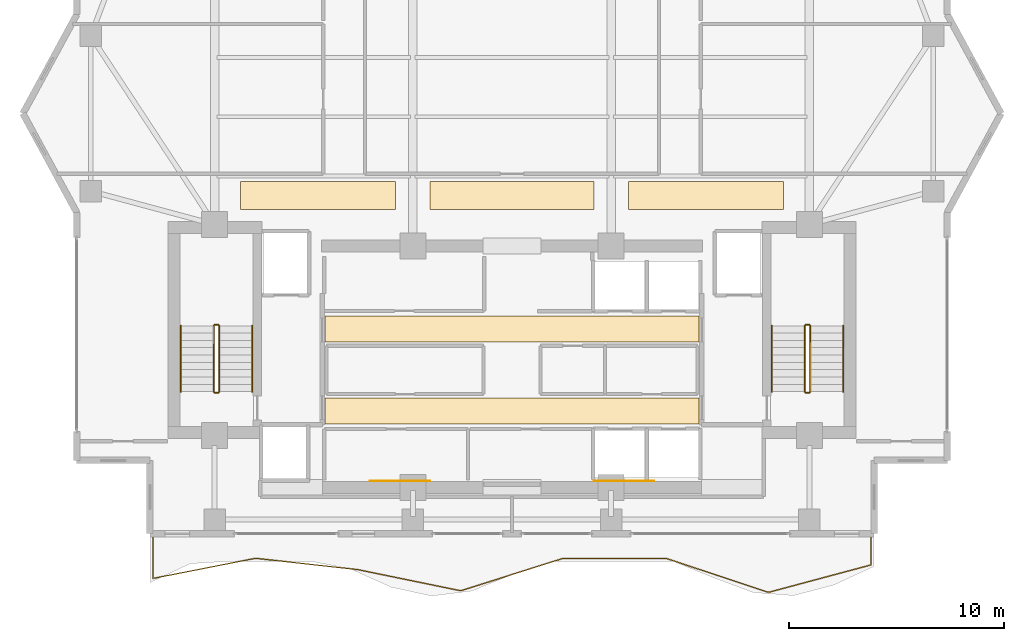
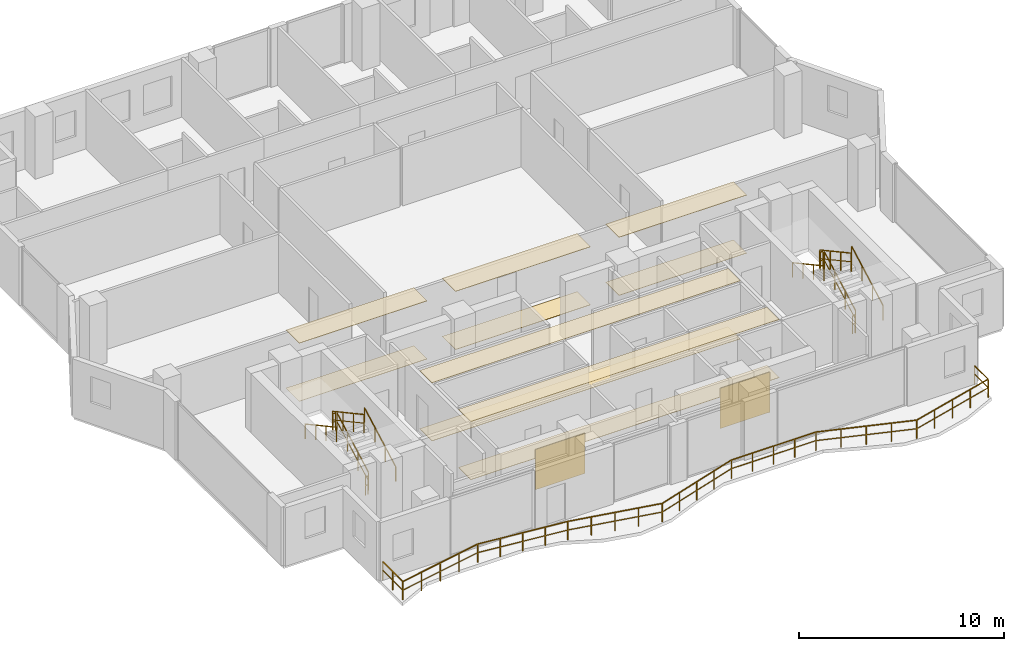
# One storey, part 22 of 24: 13 railings, 12 coverings.
"""IFC4 building model written with IfcOpenShell, lengths in metres."""

import ifcopenshell
import ifcopenshell.guid

model = None  # the IFC model being written
_history = None  # IfcOwnerHistory: only IFC2X3 demands one
_inside = {}  # id of a spatial element -> (the spatial element, [elements in it])
_under = {}  # id of a project, library or spatial element -> (it, [spatial elements below it])
_declared = {}  # id of a project -> (the project, [libraries it declares])
_typed = {}  # id of a type object -> (the type object, [elements of that type])
_made_of = {}  # id of a material, layer set ... -> (it, [elements and type objects made of it])


def new_model(schema):
    """Start an empty IFC model of exactly this schema.

    Asked for "IFC4X3", IfcOpenShell would pick the latest addendum, in which some entities
    have other attributes; the version numbers below select the first issue.
    IFC2X3 requires an IfcOwnerHistory on every rooted entity: one is made here for all.
    """
    global model, _history
    if schema == "IFC4X3":
        model = ifcopenshell.file(schema_version=(4, 3, 0, 0))
    else:
        model = ifcopenshell.file(schema=schema)
    _inside.clear()
    _under.clear()
    _declared.clear()
    _typed.clear()
    _made_of.clear()
    _history = None
    if model.schema == "IFC2X3":
        org = make("IfcOrganization", Name="unknown")
        user = make(
            "IfcPersonAndOrganization",
            ThePerson=make("IfcPerson", FamilyName="unknown"),
            TheOrganization=org,
        )
        app = make(
            "IfcApplication",
            ApplicationDeveloper=org,
            Version="unknown",
            ApplicationFullName="unknown",
            ApplicationIdentifier="unknown",
        )
        _history = make(
            "IfcOwnerHistory",
            OwningUser=user,
            OwningApplication=app,
            ChangeAction="ADDED",
            CreationDate=0,
        )
    return model


def make(cls, **values):
    """One entity of the class cls with the attributes given. An attribute that is None is left unset."""
    return model.create_entity(
        cls, **{name: value for name, value in values.items() if value is not None}
    )


def rooted(cls, **values):
    """An entity with a GlobalId (a new one), such as an element, a storey or a relation."""
    return make(cls, GlobalId=ifcopenshell.guid.new(), OwnerHistory=_history, **values)


def si_unit(unit_type, name, prefix=None):
    """IfcSIUnit, for example si_unit("LENGTHUNIT", "METRE", prefix="MILLI")."""
    return make("IfcSIUnit", UnitType=unit_type, Prefix=prefix, Name=name)


def assignment(units):
    """IfcUnitAssignment: the units of a project."""
    return None if units is None else make("IfcUnitAssignment", Units=units)


def point(xyz):
    """IfcCartesianPoint."""
    return None if xyz is None else make("IfcCartesianPoint", Coordinates=xyz)


def direction(xyz):
    """IfcDirection."""
    return None if xyz is None else make("IfcDirection", DirectionRatios=xyz)


def frame(location, z_axis=None, x_axis=None):
    """IfcAxis2Placement3D, a coordinate frame: its origin and axes. An axis left out is left unset."""
    return make(
        "IfcAxis2Placement3D",
        Location=point(location),
        Axis=direction(z_axis),
        RefDirection=direction(x_axis),
    )


def frame_2d(location, x_axis=None):
    """IfcAxis2Placement2D, a coordinate frame in the plane: its origin and x axis."""
    return make(
        "IfcAxis2Placement2D", Location=point(location), RefDirection=direction(x_axis)
    )


def origin():
    """The frame at (0, 0, 0) with its axes left unset."""
    return frame((0.0, 0.0, 0.0))


def origin_2d():
    """The frame at (0, 0) in the plane with its x axis left unset."""
    return frame_2d((0.0, 0.0))


def place(relative_to, where):
    """IfcLocalPlacement: puts the frame where relative to a parent placement (None: the world)."""
    return make(
        "IfcLocalPlacement", PlacementRelTo=relative_to, RelativePlacement=where
    )


def context(
    kind, dimensions, precision=None, world=None, true_north=None, identifier=None
):
    """IfcGeometricRepresentationContext, for example the 3D "Model" context."""
    return make(
        "IfcGeometricRepresentationContext",
        ContextIdentifier=identifier,
        ContextType=kind,
        CoordinateSpaceDimension=dimensions,
        Precision=precision,
        WorldCoordinateSystem=world,
        TrueNorth=true_north,
    )


def subcontext(parent, identifier, kind, view, scale=None):
    """IfcGeometricRepresentationSubContext, for example "Body" below "Model"."""
    return make(
        "IfcGeometricRepresentationSubContext",
        ContextIdentifier=identifier,
        ContextType=kind,
        ParentContext=parent,
        TargetScale=scale,
        TargetView=view,
    )


def project(units=None, contexts=None):
    """IfcProject with its units and contexts."""
    return rooted(
        "IfcProject",
        Name="project",
        RepresentationContexts=contexts,
        UnitsInContext=assignment(units),
    )


def spatial(cls, under=None, at=None, **own):
    """A site, building, storey or space (cls), placed at a placement, below another one or the project."""
    s = rooted(cls, ObjectPlacement=at, **own)
    if under is not None:
        _under.setdefault(under.id(), (under, []))[1].append(s)
    return s


def polyline(points):
    """IfcPolyline through the points."""
    return make("IfcPolyline", Points=[point(p) for p in points])


def profile(cls, at=None, kind="AREA", **sizes):
    """A parametric profile (cls). Its sizes go by their IFC names, for example OverallWidth=200.0."""
    return make(cls, ProfileType=kind, Position=at, **sizes)


def rectangle(**sizes):
    """IfcRectangleProfileDef."""
    return profile("IfcRectangleProfileDef", **sizes)


def outline(outer, holes=None, kind="AREA"):
    """IfcArbitraryClosedProfileDef: a profile drawn as a closed curve; with holes, ...WithVoids."""
    if holes is None:
        return make("IfcArbitraryClosedProfileDef", ProfileType=kind, OuterCurve=outer)
    return make(
        "IfcArbitraryProfileDefWithVoids",
        ProfileType=kind,
        OuterCurve=outer,
        InnerCurves=holes,
    )


def extrude(swept, where, along, depth):
    """IfcExtrudedAreaSolid: the profile swept, set in the frame where, extruded along a direction by depth."""
    return make(
        "IfcExtrudedAreaSolid",
        SweptArea=swept,
        Position=where,
        ExtrudedDirection=direction(along),
        Depth=depth,
    )


def shape(context_of_items, identifier, shape_type, items):
    """IfcShapeRepresentation: the items that make up one representation, for example the "Body"."""
    return make(
        "IfcShapeRepresentation",
        ContextOfItems=context_of_items,
        RepresentationIdentifier=identifier,
        RepresentationType=shape_type,
        Items=items,
    )


def material(Name=None, Category=None):
    """IfcMaterial."""
    return make("IfcMaterial", Name=Name, Category=Category)


def layer(
    of_material, thickness, ventilated=None, Name=None, Category=None, Priority=None
):
    """IfcMaterialLayer: one layer of a wall or slab, of a material (None: an air gap)."""
    return make(
        "IfcMaterialLayer",
        Material=of_material,
        LayerThickness=thickness,
        IsVentilated=ventilated,
        Name=Name,
        Category=Category,
        Priority=Priority,
    )


def layer_set(layers, Name=None):
    """IfcMaterialLayerSet."""
    return make("IfcMaterialLayerSet", MaterialLayers=layers, LayerSetName=Name)


def made_of(thing, what):
    """Note that an element or type object is made of a material, layer set ...; save() writes the relation."""
    if what is not None:
        _made_of.setdefault(what.id(), (what, []))[1].append(thing)
    return thing


def type_object(cls, material=None, **own):
    """A type object (cls), such as IfcWallType, which elements share."""
    return made_of(rooted(cls, **own), material)


def element(
    cls,
    number,
    at=None,
    inside=None,
    cuts=None,
    type_object=None,
    material=None,
    context=None,
    identifier="Body",
    shape_type=None,
    held_by="IfcProductDefinitionShape",
    body=None,
    shapes=None,
    **own,
):
    """One element of the class cls, such as IfcWall. Its Tag is "e" and its number.

    at: its placement. inside: the storey or other place that contains it. cuts: it is an
    opening in that element (IfcRelVoidsElement). A single representation is given by context,
    identifier, shape_type and body (its items); several are given by shapes. held_by: the class
    of the entity that holds the representations. save() writes the other relations.
    """
    e = rooted(cls, Tag="e%d" % number, ObjectPlacement=at, **own)
    if body is not None:
        shapes = [shape(context, identifier, shape_type, body)]
    if shapes is not None:
        e.Representation = make(held_by, Representations=shapes)
    if inside is not None:
        _inside.setdefault(inside.id(), (inside, []))[1].append(e)
    if cuts is not None:
        rooted(
            "IfcRelVoidsElement", RelatingBuildingElement=cuts, RelatedOpeningElement=e
        )
    if type_object is not None:
        _typed.setdefault(type_object.id(), (type_object, []))[1].append(e)
    return made_of(e, material)


def aggregate(whole, parts):
    """IfcRelAggregates: a whole, such as a stair, and the parts it consists of."""
    return rooted("IfcRelAggregates", RelatingObject=whole, RelatedObjects=parts)


def save(model, path):
    """Write the relations noted so far, then the file.

    IfcRelAggregates (storeys below a building ...), IfcRelContainedInSpatialStructure (elements
    in a storey), IfcRelDefinesByType, IfcRelAssociatesMaterial and IfcRelDeclares: one each for
    every whole, place, type object, material and project.
    """
    for whole, parts in _under.values():
        aggregate(whole, parts)
    for where, things in _inside.values():
        rooted(
            "IfcRelContainedInSpatialStructure",
            RelatedElements=things,
            RelatingStructure=where,
        )
    for kind, things in _typed.values():
        rooted("IfcRelDefinesByType", RelatedObjects=things, RelatingType=kind)
    for what, things in _made_of.values():
        rooted("IfcRelAssociatesMaterial", RelatedObjects=things, RelatingMaterial=what)
    for by, libraries in _declared.values():
        rooted("IfcRelDeclares", RelatingContext=by, RelatedDefinitions=libraries)
    model.write(path)


model = new_model("IFC4")

# Units and contexts
model_context = context("Model", 3, precision=1e-05, world=origin(), true_north=direction((0.0, 1.0)))
body_context = subcontext(model_context, "Body", "Model", "MODEL_VIEW")
ifc_project = project(units=[si_unit("LENGTHUNIT", "METRE"), si_unit("AREAUNIT", "SQUARE_METRE"), si_unit("VOLUMEUNIT", "CUBIC_METRE"), si_unit("PLANEANGLEUNIT", "RADIAN"), si_unit("MASSUNIT", "GRAM", prefix="KILO")], contexts=[model_context])

# Site, building, storey
site_placement = place(None, origin())
site = spatial("IfcSite", under=ifc_project, at=site_placement, CompositionType="ELEMENT")
building_placement = place(site_placement, origin())
building = spatial("IfcBuilding", under=site, at=building_placement, Name="Zuhayl Quay Hotel", CompositionType="ELEMENT")
storey_placement = place(building_placement, frame((0.0, 0.0, 276.64990234375)))
storey = spatial("IfcBuildingStorey", under=building, at=storey_placement, Name="L70", CompositionType="ELEMENT", Elevation=276.64990234375)

# Coverings
ifc_material_1 = material(Name="Acoustic Mineral-Fibre Gypsum Board")
ifc_layer_1 = layer(ifc_material_1, 0.02490234375, Name="Acoustic Mineral-Fibre Gypsum Board")
ifc_layer_set_1 = layer_set([ifc_layer_1], Name="Acoustic Mineral-Fibre Gypsum Board")
covering_type_1 = type_object("IfcCoveringType", Name="CV_CEIL_ACOUSTIC", PredefinedType="CEILING", material=ifc_layer_set_1)
covering_1_placement = place(storey_placement, frame((0.0, 0.0, 3.455078125)))
element("IfcCovering", 1, at=covering_1_placement, inside=storey, type_object=covering_type_1, Name="L70 Suspended Acoustic Lobby Ceiling S", PredefinedType="CEILING", context=body_context, shape_type="SweptSolid", body=[
    extrude(outline(polyline([(-8.679931640625, 5.10009765625), (8.679931640625, 5.10009765625), (8.679931640625, 6.300048828125), (-8.679931640625, 6.300048828125), (-8.679931640625, 5.10009765625)])), origin(), (0.0, 0.0, 1.0), 0.02490234375),
])
covering_2_placement = place(storey_placement, frame((0.0, 0.0, 3.455078125)))
element("IfcCovering", 2, at=covering_2_placement, inside=storey, type_object=covering_type_1, Name="L70 Suspended Acoustic Lobby Ceiling N", PredefinedType="CEILING", context=body_context, shape_type="SweptSolid", body=[
    extrude(outline(polyline([(-8.679931640625, 8.89990234375), (8.679931640625, 8.89990234375), (8.679931640625, 10.10009765625), (-8.679931640625, 10.10009765625), (-8.679931640625, 8.89990234375)])), origin(), (0.0, 0.0, 1.0), 0.02490234375),
])
covering_3_placement = place(storey_placement, frame((0.0, 0.0, 3.455078125)))
element("IfcCovering", 3, at=covering_3_placement, inside=storey, type_object=covering_type_1, Name="L70 Guest Corridor Acoustic Ceiling CW", PredefinedType="CEILING", context=body_context, shape_type="SweptSolid", body=[
    extrude(outline(polyline([(-12.60009765625, 15.050048828125), (-5.39990234375, 15.050048828125), (-5.39990234375, 16.35009765625), (-12.60009765625, 16.35009765625), (-12.60009765625, 15.050048828125)])), origin(), (0.0, 0.0, 1.0), 0.02490234375),
])
covering_4_placement = place(storey_placement, frame((0.0, 0.0, 3.455078125)))
element("IfcCovering", 4, at=covering_4_placement, inside=storey, type_object=covering_type_1, Name="L70 Guest Corridor Acoustic Ceiling CC", PredefinedType="CEILING", context=body_context, shape_type="SweptSolid", body=[
    extrude(outline(polyline([(-3.800048828125, 15.050048828125), (3.800048828125, 15.050048828125), (3.800048828125, 16.35009765625), (-3.800048828125, 16.35009765625), (-3.800048828125, 15.050048828125)])), origin(), (0.0, 0.0, 1.0), 0.02490234375),
])
covering_5_placement = place(storey_placement, frame((0.0, 0.0, 3.455078125)))
element("IfcCovering", 5, at=covering_5_placement, inside=storey, type_object=covering_type_1, Name="L70 Guest Corridor Acoustic Ceiling CE", PredefinedType="CEILING", context=body_context, shape_type="SweptSolid", body=[
    extrude(outline(polyline([(5.39990234375, 15.050048828125), (12.60009765625, 15.050048828125), (12.60009765625, 16.35009765625), (5.39990234375, 16.35009765625), (5.39990234375, 15.050048828125)])), origin(), (0.0, 0.0, 1.0), 0.02490234375),
])
ifc_material_2 = material(Name="Polished Limestone Terrazzo", Category="masonry")
ifc_layer_2 = layer(ifc_material_2, 0.02001953125, Name="Polished Limestone Terrazzo", Category="masonry")
ifc_layer_set_2 = layer_set([ifc_layer_2], Name="Polished Limestone Terrazzo")
covering_type_2 = type_object("IfcCoveringType", Name="CV_FLOOR_TERRAZZO", PredefinedType="FLOORING", material=ifc_layer_set_2)
covering_6_placement = place(storey_placement, origin())
element("IfcCovering", 6, at=covering_6_placement, inside=storey, type_object=covering_type_2, Name="L70 Honed Limestone Terrazzo Lobby Flooring S", PredefinedType="FLOORING", context=body_context, shape_type="SweptSolid", body=[
    extrude(outline(polyline([(-8.679931640625, 5.10009765625), (8.679931640625, 5.10009765625), (8.679931640625, 6.300048828125), (-8.679931640625, 6.300048828125), (-8.679931640625, 5.10009765625)])), origin(), (0.0, 0.0, 1.0), 0.02001953125),
])
covering_7_placement = place(storey_placement, origin())
element("IfcCovering", 7, at=covering_7_placement, inside=storey, type_object=covering_type_2, Name="L70 Honed Limestone Terrazzo Lobby Flooring N", PredefinedType="FLOORING", context=body_context, shape_type="SweptSolid", body=[
    extrude(outline(polyline([(-8.679931640625, 8.89990234375), (8.679931640625, 8.89990234375), (8.679931640625, 10.10009765625), (-8.679931640625, 10.10009765625), (-8.679931640625, 8.89990234375)])), origin(), (0.0, 0.0, 1.0), 0.02001953125),
])
covering_8_placement = place(storey_placement, origin())
element("IfcCovering", 8, at=covering_8_placement, inside=storey, type_object=covering_type_2, Name="L70 Guest Corridor Terrazzo Runner CW", PredefinedType="FLOORING", context=body_context, shape_type="SweptSolid", body=[
    extrude(outline(polyline([(-12.60009765625, 15.050048828125), (-5.39990234375, 15.050048828125), (-5.39990234375, 16.35009765625), (-12.60009765625, 16.35009765625), (-12.60009765625, 15.050048828125)])), origin(), (0.0, 0.0, 1.0), 0.02001953125),
])
covering_9_placement = place(storey_placement, origin())
element("IfcCovering", 9, at=covering_9_placement, inside=storey, type_object=covering_type_2, Name="L70 Guest Corridor Terrazzo Runner CC", PredefinedType="FLOORING", context=body_context, shape_type="SweptSolid", body=[
    extrude(outline(polyline([(-3.800048828125, 15.050048828125), (3.800048828125, 15.050048828125), (3.800048828125, 16.35009765625), (-3.800048828125, 16.35009765625), (-3.800048828125, 15.050048828125)])), origin(), (0.0, 0.0, 1.0), 0.02001953125),
])
covering_10_placement = place(storey_placement, origin())
element("IfcCovering", 10, at=covering_10_placement, inside=storey, type_object=covering_type_2, Name="L70 Guest Corridor Terrazzo Runner CE", PredefinedType="FLOORING", context=body_context, shape_type="SweptSolid", body=[
    extrude(outline(polyline([(5.39990234375, 15.050048828125), (12.60009765625, 15.050048828125), (12.60009765625, 16.35009765625), (5.39990234375, 16.35009765625), (5.39990234375, 15.050048828125)])), origin(), (0.0, 0.0, 1.0), 0.02001953125),
])
ifc_material_3 = material(Name="Acoustic Walnut Feature Timber", Category="wood")
ifc_layer_3 = layer(ifc_material_3, 0.02197265625, Name="Acoustic Walnut Feature Timber", Category="wood")
ifc_layer_set_3 = layer_set([ifc_layer_3], Name="Acoustic Walnut Feature Timber")
covering_type_3 = type_object("IfcCoveringType", Name="CV_WALL_CLAD", PredefinedType="CLADDING", material=ifc_layer_set_3)
for number, where, z_axis, x_axis, name in (
    (11, (-5.199951171875, 2.43603515625, 0.300048828125), (0.0, 0.0, 1.0), (1.0, 0.0, 0.0), "L70 Feature Lobby Walnut Wall Cladding W"),
    (12, (5.199951171875, 2.43603515625, 0.300048828125), (0.0, 0.0, 1.0), (1.0, 0.0, 0.0), "L70 Feature Lobby Walnut Wall Cladding E"),
):
    element("IfcCovering", number, at=place(storey_placement, frame(where, z_axis=z_axis, x_axis=x_axis)), inside=storey, type_object=covering_type_3, Name=name, PredefinedType="CLADDING", context=body_context, shape_type="SweptSolid", body=[
        extrude(rectangle(XDim=2.800048828125, YDim=0.02197265625, at=origin_2d()), origin(), (0.0, 0.0, 1.0), 2.39990234375),
    ])

# Railings
ifc_material_4 = material(Name="Anodised Aluminium and Laminated Glass", Category="aluminium")
railing_type_1 = type_object("IfcRailingType", Name="RL_EXT_BAL_1100", PredefinedType="BALUSTRADE", material=ifc_material_4)
railing_1_placement = place(storey_placement, frame((-16.659912109375, -0.1201171875, 0.0)))
element("IfcRailing", 13, at=railing_1_placement, inside=storey, type_object=railing_type_1, Name="L70 Balcony and Terrace Guard GR_L70_BAL_S", PredefinedType="BALUSTRADE", context=body_context, shape_type="SweptSolid", body=[
    extrude(rectangle(XDim=0.048095703125, YDim=0.048095703125, at=origin_2d()), frame((0.0, 0.0, 1.09619140625), z_axis=(0.0, -1.0, 0.0), x_axis=(1.0, 0.0, 0.0)), (0.0, 0.0, 1.0), 1.95458984375),
    extrude(rectangle(XDim=0.0361328125, YDim=0.0361328125, at=origin_2d()), frame((0.0, 0.0, 0.58251953125), z_axis=(0.0, -1.0, 0.0), x_axis=(1.0, 0.0, 0.0)), (0.0, 0.0, 1.0), 1.95458984375),
    extrude(rectangle(XDim=0.048095703125, YDim=0.048095703125, at=origin_2d()), frame((0.0, -1.95458984375, 1.09619140625), z_axis=(0.981256128816, 0.192708094437, 0.0), x_axis=(-0.192708094437, 0.981256128816, 0.0)), (0.0, 0.0, 1.0), 4.850830078125),
    extrude(rectangle(XDim=0.0361328125, YDim=0.0361328125, at=origin_2d()), frame((0.0, -1.95458984375, 0.58251953125), z_axis=(0.981256128816, 0.192708094437, 0.0), x_axis=(-0.192708094437, 0.981256128816, 0.0)), (0.0, 0.0, 1.0), 4.850830078125),
    extrude(rectangle(XDim=0.048095703125, YDim=0.048095703125, at=origin_2d()), frame((4.760009765625, -1.019775390625, 1.09619140625), z_axis=(0.993857597801, -0.110666504838, 0.0), x_axis=(0.110666504838, 0.993857597801, 0.0)), (0.0, 0.0, 1.0), 4.789306640625),
    extrude(rectangle(XDim=0.0361328125, YDim=0.0361328125, at=origin_2d()), frame((4.760009765625, -1.019775390625, 0.58251953125), z_axis=(0.993857597801, -0.110666504838, 0.0), x_axis=(0.110666504838, 0.993857597801, 0.0)), (0.0, 0.0, 1.0), 4.789306640625),
    extrude(rectangle(XDim=0.048095703125, YDim=0.048095703125, at=origin_2d()), frame((9.52001953125, -1.5498046875, 1.09619140625), z_axis=(0.979537225251, -0.201263072491, 0.0), x_axis=(0.201263072491, 0.979537225251, 0.0)), (0.0, 0.0, 1.0), 4.859375),
    extrude(rectangle(XDim=0.0361328125, YDim=0.0361328125, at=origin_2d()), frame((9.52001953125, -1.5498046875, 0.58251953125), z_axis=(0.979537225251, -0.201263072491, 0.0), x_axis=(0.201263072491, 0.979537225251, 0.0)), (0.0, 0.0, 1.0), 4.859375),
    extrude(rectangle(XDim=0.048095703125, YDim=0.048095703125, at=origin_2d()), frame((14.280029296875, -2.52783203125, 1.09619140625), z_axis=(0.953296242954, 0.302036873858, 0.0), x_axis=(-0.302036873858, 0.953296242954, 0.0)), (0.0, 0.0, 1.0), 4.992919921875),
    extrude(rectangle(XDim=0.0361328125, YDim=0.0361328125, at=origin_2d()), frame((14.280029296875, -2.52783203125, 0.58251953125), z_axis=(0.953296242954, 0.302036873858, 0.0), x_axis=(-0.302036873858, 0.953296242954, 0.0)), (0.0, 0.0, 1.0), 4.992919921875),
    extrude(rectangle(XDim=0.048095703125, YDim=0.048095703125, at=origin_2d()), frame((19.039794921875, -1.019775390625, 1.09619140625), z_axis=(1.0, 0.0, 0.0), x_axis=(0.0, 1.0, 0.0)), (0.0, 0.0, 1.0), 4.760009765625),
    extrude(rectangle(XDim=0.0361328125, YDim=0.0361328125, at=origin_2d()), frame((19.039794921875, -1.019775390625, 0.58251953125), z_axis=(1.0, 0.0, 0.0), x_axis=(0.0, 1.0, 0.0)), (0.0, 0.0, 1.0), 4.760009765625),
    extrude(rectangle(XDim=0.048095703125, YDim=0.048095703125, at=origin_2d()), frame((23.7998046875, -1.019775390625, 1.09619140625), z_axis=(0.948989495807, -0.315307685995, 0.0), x_axis=(0.315307685995, 0.948989495807, 0.0)), (0.0, 0.0, 1.0), 5.015869140625),
    extrude(rectangle(XDim=0.0361328125, YDim=0.0361328125, at=origin_2d()), frame((23.7998046875, -1.019775390625, 0.58251953125), z_axis=(0.948989495807, -0.315307685995, 0.0), x_axis=(0.315307685995, 0.948989495807, 0.0)), (0.0, 0.0, 1.0), 5.015869140625),
    extrude(rectangle(XDim=0.048095703125, YDim=0.048095703125, at=origin_2d()), frame((28.559814453125, -2.601318359375, 1.09619140625), z_axis=(0.966015020144, 0.25848593938, 0.0), x_axis=(-0.25848593938, 0.966015020144, 0.0)), (0.0, 0.0, 1.0), 4.927490234375),
    extrude(rectangle(XDim=0.0361328125, YDim=0.0361328125, at=origin_2d()), frame((28.559814453125, -2.601318359375, 0.58251953125), z_axis=(0.966015020144, 0.25848593938, 0.0), x_axis=(-0.25848593938, 0.966015020144, 0.0)), (0.0, 0.0, 1.0), 4.927490234375),
    extrude(rectangle(XDim=0.048095703125, YDim=0.048095703125, at=origin_2d()), frame((33.31982421875, -1.32763671875, 1.09619140625), z_axis=(0.0, 1.0, 0.0), x_axis=(-1.0, 0.0, 0.0)), (0.0, 0.0, 1.0), 1.32763671875),
    extrude(rectangle(XDim=0.0361328125, YDim=0.0361328125, at=origin_2d()), frame((33.31982421875, -1.32763671875, 0.58251953125), z_axis=(0.0, 1.0, 0.0), x_axis=(-1.0, 0.0, 0.0)), (0.0, 0.0, 1.0), 1.32763671875),
    extrude(rectangle(XDim=0.0419921875, YDim=0.0419921875, at=origin_2d()), origin(), (0.0, 0.0, 1.0), 1.072021484375),
    extrude(rectangle(XDim=0.0419921875, YDim=0.0419921875, at=origin_2d()), frame((0.0, -0.977294921875, 0.0)), (0.0, 0.0, 1.0), 1.072021484375),
    extrude(rectangle(XDim=0.0419921875, YDim=0.0419921875, at=origin_2d()), frame((0.0, -1.95458984375, 0.0)), (0.0, 0.0, 1.0), 1.072021484375),
    extrude(rectangle(XDim=0.0419921875, YDim=0.0419921875, at=origin_2d()), frame((1.18994140625, -1.720947265625, 0.0)), (0.0, 0.0, 1.0), 1.072021484375),
    extrude(rectangle(XDim=0.0419921875, YDim=0.0419921875, at=origin_2d()), frame((2.3798828125, -1.4873046875, 0.0)), (0.0, 0.0, 1.0), 1.072021484375),
    extrude(rectangle(XDim=0.0419921875, YDim=0.0419921875, at=origin_2d()), frame((3.570068359375, -1.25341796875, 0.0)), (0.0, 0.0, 1.0), 1.072021484375),
    extrude(rectangle(XDim=0.0419921875, YDim=0.0419921875, at=origin_2d()), frame((4.760009765625, -1.019775390625, 0.0)), (0.0, 0.0, 1.0), 1.072021484375),
    extrude(rectangle(XDim=0.0419921875, YDim=0.0419921875, at=origin_2d()), frame((5.949951171875, -1.15234375, 0.0)), (0.0, 0.0, 1.0), 1.072021484375),
    extrude(rectangle(XDim=0.0419921875, YDim=0.0419921875, at=origin_2d()), frame((7.14013671875, -1.28466796875, 0.0)), (0.0, 0.0, 1.0), 1.072021484375),
    extrude(rectangle(XDim=0.0419921875, YDim=0.0419921875, at=origin_2d()), frame((8.330078125, -1.417236328125, 0.0)), (0.0, 0.0, 1.0), 1.072021484375),
    extrude(rectangle(XDim=0.0419921875, YDim=0.0419921875, at=origin_2d()), frame((9.52001953125, -1.5498046875, 0.0)), (0.0, 0.0, 1.0), 1.072021484375),
    extrude(rectangle(XDim=0.0419921875, YDim=0.0419921875, at=origin_2d()), frame((10.7099609375, -1.79443359375, 0.0)), (0.0, 0.0, 1.0), 1.072021484375),
    extrude(rectangle(XDim=0.0419921875, YDim=0.0419921875, at=origin_2d()), frame((11.89990234375, -2.038818359375, 0.0)), (0.0, 0.0, 1.0), 1.072021484375),
    extrude(rectangle(XDim=0.0419921875, YDim=0.0419921875, at=origin_2d()), frame((13.090087890625, -2.283203125, 0.0)), (0.0, 0.0, 1.0), 1.072021484375),
    extrude(rectangle(XDim=0.0419921875, YDim=0.0419921875, at=origin_2d()), frame((14.280029296875, -2.52783203125, 0.0)), (0.0, 0.0, 1.0), 1.072021484375),
    extrude(rectangle(XDim=0.0419921875, YDim=0.0419921875, at=origin_2d()), frame((15.469970703125, -2.15087890625, 0.0)), (0.0, 0.0, 1.0), 1.072021484375),
    extrude(rectangle(XDim=0.0419921875, YDim=0.0419921875, at=origin_2d()), frame((16.659912109375, -1.77392578125, 0.0)), (0.0, 0.0, 1.0), 1.072021484375),
    extrude(rectangle(XDim=0.0419921875, YDim=0.0419921875, at=origin_2d()), frame((17.849853515625, -1.396728515625, 0.0)), (0.0, 0.0, 1.0), 1.072021484375),
    extrude(rectangle(XDim=0.0419921875, YDim=0.0419921875, at=origin_2d()), frame((19.039794921875, -1.019775390625, 0.0)), (0.0, 0.0, 1.0), 1.072021484375),
    extrude(rectangle(XDim=0.0419921875, YDim=0.0419921875, at=origin_2d()), frame((20.229736328125, -1.019775390625, 0.0)), (0.0, 0.0, 1.0), 1.072021484375),
    extrude(rectangle(XDim=0.0419921875, YDim=0.0419921875, at=origin_2d()), frame((21.419921875, -1.019775390625, 0.0)), (0.0, 0.0, 1.0), 1.072021484375),
    extrude(rectangle(XDim=0.0419921875, YDim=0.0419921875, at=origin_2d()), frame((22.60986328125, -1.019775390625, 0.0)), (0.0, 0.0, 1.0), 1.072021484375),
    extrude(rectangle(XDim=0.0419921875, YDim=0.0419921875, at=origin_2d()), frame((23.7998046875, -1.019775390625, 0.0)), (0.0, 0.0, 1.0), 1.072021484375),
    extrude(rectangle(XDim=0.0419921875, YDim=0.0419921875, at=origin_2d()), frame((24.98974609375, -1.4150390625, 0.0)), (0.0, 0.0, 1.0), 1.072021484375),
    extrude(rectangle(XDim=0.0419921875, YDim=0.0419921875, at=origin_2d()), frame((26.1796875, -1.810546875, 0.0)), (0.0, 0.0, 1.0), 1.072021484375),
    extrude(rectangle(XDim=0.0419921875, YDim=0.0419921875, at=origin_2d()), frame((27.369873046875, -2.2060546875, 0.0)), (0.0, 0.0, 1.0), 1.072021484375),
    extrude(rectangle(XDim=0.0419921875, YDim=0.0419921875, at=origin_2d()), frame((28.559814453125, -2.601318359375, 0.0)), (0.0, 0.0, 1.0), 1.072021484375),
    extrude(rectangle(XDim=0.0419921875, YDim=0.0419921875, at=origin_2d()), frame((29.749755859375, -2.282958984375, 0.0)), (0.0, 0.0, 1.0), 1.072021484375),
    extrude(rectangle(XDim=0.0419921875, YDim=0.0419921875, at=origin_2d()), frame((30.93994140625, -1.96435546875, 0.0)), (0.0, 0.0, 1.0), 1.072021484375),
    extrude(rectangle(XDim=0.0419921875, YDim=0.0419921875, at=origin_2d()), frame((32.1298828125, -1.64599609375, 0.0)), (0.0, 0.0, 1.0), 1.072021484375),
    extrude(rectangle(XDim=0.0419921875, YDim=0.0419921875, at=origin_2d()), frame((33.31982421875, -1.32763671875, 0.0)), (0.0, 0.0, 1.0), 1.072021484375),
    extrude(rectangle(XDim=0.0419921875, YDim=0.0419921875, at=origin_2d()), frame((33.31982421875, 0.0, 0.0)), (0.0, 0.0, 1.0), 1.072021484375),
])
ifc_material_5 = material(Name="Steel ASTM A992 Grade 50", Category="steel")
railing_type_2 = type_object("IfcRailingType", Name="RL_GUARD_1100", PredefinedType="GUARDRAIL", material=ifc_material_5)
railing_2_placement = place(storey_placement, frame((-13.590087890625, 6.590087890625, 0.18505859375)))
element("IfcRailing", 14, at=railing_2_placement, inside=storey, type_object=railing_type_2, Name="L70 ST1 stair guard 1", PredefinedType="GUARDRAIL", context=body_context, shape_type="SweptSolid", body=[
    extrude(rectangle(XDim=0.048095703125, YDim=0.048095703125, at=origin_2d()), frame((0.0, 0.0, 1.09619140625), z_axis=(0.0, 0.878371892512, 0.477977843049), x_axis=(-1.0, 0.0, 0.0)), (0.0, 0.0, 1.0), 3.4833984375),
    extrude(rectangle(XDim=0.0361328125, YDim=0.0361328125, at=origin_2d()), frame((0.0, 0.0, 0.58251953125), z_axis=(0.0, 0.878371892512, 0.477977843049), x_axis=(-1.0, 0.0, 0.0)), (0.0, 0.0, 1.0), 3.4833984375),
    extrude(rectangle(XDim=0.0419921875, YDim=0.0419921875, at=origin_2d()), origin(), (0.0, 0.0, 1.0), 1.072021484375),
    extrude(rectangle(XDim=0.0419921875, YDim=0.0419921875, at=origin_2d()), frame((0.0, 1.02001953125, 0.554931640625)), (0.0, 0.0, 1.0), 1.072021484375),
    extrude(rectangle(XDim=0.0419921875, YDim=0.0419921875, at=origin_2d()), frame((0.0, 2.039794921875, 1.110107421875)), (0.0, 0.0, 1.0), 1.072021484375),
    extrude(rectangle(XDim=0.0419921875, YDim=0.0419921875, at=origin_2d()), frame((0.0, 3.059814453125, 1.6650390625)), (0.0, 0.0, 1.0), 1.072021484375),
])
railing_3_placement = place(storey_placement, frame((-13.639892578125, 9.699951171875, 1.85009765625)))
element("IfcRailing", 15, at=railing_3_placement, inside=storey, type_object=railing_type_2, Name="L70 ST1 stair guard 2", PredefinedType="GUARDRAIL", context=body_context, shape_type="SweptSolid", body=[
    extrude(rectangle(XDim=0.048095703125, YDim=0.048095703125, at=origin_2d()), frame((0.0, 0.0, 1.09619140625), z_axis=(-1.0, 0.0, 0.0), x_axis=(0.0, -1.0, 0.0)), (0.0, 0.0, 1.0), 0.150146484375),
    extrude(rectangle(XDim=0.0361328125, YDim=0.0361328125, at=origin_2d()), frame((0.0, 0.0, 0.58251953125), z_axis=(-1.0, 0.0, 0.0), x_axis=(0.0, -1.0, 0.0)), (0.0, 0.0, 1.0), 0.150146484375),
    extrude(rectangle(XDim=0.0419921875, YDim=0.0419921875, at=origin_2d()), origin(), (0.0, 0.0, 1.0), 1.072021484375),
    extrude(rectangle(XDim=0.0419921875, YDim=0.0419921875, at=origin_2d()), frame((-0.150146484375, 0.0, 0.0)), (0.0, 0.0, 1.0), 1.072021484375),
])
railing_4_placement = place(storey_placement, frame((-13.840087890625, 9.64990234375, 2.03515625)))
element("IfcRailing", 16, at=railing_4_placement, inside=storey, type_object=railing_type_2, Name="L70 ST1 stair guard 3", PredefinedType="GUARDRAIL", context=body_context, shape_type="SweptSolid", body=[
    extrude(rectangle(XDim=0.048095703125, YDim=0.048095703125, at=origin_2d()), frame((0.0, 0.0, 1.09619140625), z_axis=(0.0, -0.878371892512, 0.477977843049), x_axis=(1.0, 0.0, 0.0)), (0.0, 0.0, 1.0), 3.4833984375),
    extrude(rectangle(XDim=0.0361328125, YDim=0.0361328125, at=origin_2d()), frame((0.0, 0.0, 0.58251953125), z_axis=(0.0, -0.878371892512, 0.477977843049), x_axis=(1.0, 0.0, 0.0)), (0.0, 0.0, 1.0), 3.4833984375),
    extrude(rectangle(XDim=0.0419921875, YDim=0.0419921875, at=origin_2d()), origin(), (0.0, 0.0, 1.0), 1.072021484375),
    extrude(rectangle(XDim=0.0419921875, YDim=0.0419921875, at=origin_2d()), frame((0.0, -1.02001953125, 0.554931640625)), (0.0, 0.0, 1.0), 1.072021484375),
    extrude(rectangle(XDim=0.0419921875, YDim=0.0419921875, at=origin_2d()), frame((0.0, -2.039794921875, 1.110107421875)), (0.0, 0.0, 1.0), 1.072021484375),
    extrude(rectangle(XDim=0.0419921875, YDim=0.0419921875, at=origin_2d()), frame((0.0, -3.059814453125, 1.6650390625)), (0.0, 0.0, 1.0), 1.072021484375),
])
railing_5_placement = place(storey_placement, frame((-13.639892578125, 6.5400390625, 0.0)))
element("IfcRailing", 17, at=railing_5_placement, inside=storey, type_object=railing_type_2, Name="L70 ST1 stair guard 4", PredefinedType="GUARDRAIL", context=body_context, shape_type="SweptSolid", body=[
    extrude(rectangle(XDim=0.048095703125, YDim=0.048095703125, at=origin_2d()), frame((0.0, 0.0, 1.09619140625), z_axis=(-1.0, 0.0, 0.0), x_axis=(0.0, -1.0, 0.0)), (0.0, 0.0, 1.0), 0.150146484375),
    extrude(rectangle(XDim=0.0361328125, YDim=0.0361328125, at=origin_2d()), frame((0.0, 0.0, 0.58251953125), z_axis=(-1.0, 0.0, 0.0), x_axis=(0.0, -1.0, 0.0)), (0.0, 0.0, 1.0), 0.150146484375),
    extrude(rectangle(XDim=0.0419921875, YDim=0.0419921875, at=origin_2d()), origin(), (0.0, 0.0, 1.0), 1.072021484375),
    extrude(rectangle(XDim=0.0419921875, YDim=0.0419921875, at=origin_2d()), frame((-0.150146484375, 0.0, 0.0)), (0.0, 0.0, 1.0), 1.072021484375),
])
railing_6_placement = place(storey_placement, frame((13.840087890625, 6.590087890625, 0.18505859375)))
element("IfcRailing", 18, at=railing_6_placement, inside=storey, type_object=railing_type_2, Name="L70 ST2 stair guard 1", PredefinedType="GUARDRAIL", context=body_context, shape_type="SweptSolid", body=[
    extrude(rectangle(XDim=0.048095703125, YDim=0.048095703125, at=origin_2d()), frame((0.0, 0.0, 1.09619140625), z_axis=(0.0, 0.878371892512, 0.477977843049), x_axis=(-1.0, 0.0, 0.0)), (0.0, 0.0, 1.0), 3.4833984375),
    extrude(rectangle(XDim=0.0361328125, YDim=0.0361328125, at=origin_2d()), frame((0.0, 0.0, 0.58251953125), z_axis=(0.0, 0.878371892512, 0.477977843049), x_axis=(-1.0, 0.0, 0.0)), (0.0, 0.0, 1.0), 3.4833984375),
    extrude(rectangle(XDim=0.0419921875, YDim=0.0419921875, at=origin_2d()), origin(), (0.0, 0.0, 1.0), 1.072021484375),
    extrude(rectangle(XDim=0.0419921875, YDim=0.0419921875, at=origin_2d()), frame((0.0, 1.02001953125, 0.554931640625)), (0.0, 0.0, 1.0), 1.072021484375),
    extrude(rectangle(XDim=0.0419921875, YDim=0.0419921875, at=origin_2d()), frame((0.0, 2.039794921875, 1.110107421875)), (0.0, 0.0, 1.0), 1.072021484375),
    extrude(rectangle(XDim=0.0419921875, YDim=0.0419921875, at=origin_2d()), frame((0.0, 3.059814453125, 1.6650390625)), (0.0, 0.0, 1.0), 1.072021484375),
])
railing_7_placement = place(storey_placement, frame((13.7900390625, 9.699951171875, 1.85009765625)))
element("IfcRailing", 19, at=railing_7_placement, inside=storey, type_object=railing_type_2, Name="L70 ST2 stair guard 2", PredefinedType="GUARDRAIL", context=body_context, shape_type="SweptSolid", body=[
    extrude(rectangle(XDim=0.048095703125, YDim=0.048095703125, at=origin_2d()), frame((0.0, 0.0, 1.09619140625), z_axis=(-1.0, 0.0, 0.0), x_axis=(0.0, -1.0, 0.0)), (0.0, 0.0, 1.0), 0.150146484375),
    extrude(rectangle(XDim=0.0361328125, YDim=0.0361328125, at=origin_2d()), frame((0.0, 0.0, 0.58251953125), z_axis=(-1.0, 0.0, 0.0), x_axis=(0.0, -1.0, 0.0)), (0.0, 0.0, 1.0), 0.150146484375),
    extrude(rectangle(XDim=0.0419921875, YDim=0.0419921875, at=origin_2d()), origin(), (0.0, 0.0, 1.0), 1.072021484375),
    extrude(rectangle(XDim=0.0419921875, YDim=0.0419921875, at=origin_2d()), frame((-0.150146484375, 0.0, 0.0)), (0.0, 0.0, 1.0), 1.072021484375),
])
railing_8_placement = place(storey_placement, frame((13.590087890625, 9.64990234375, 2.03515625)))
element("IfcRailing", 20, at=railing_8_placement, inside=storey, type_object=railing_type_2, Name="L70 ST2 stair guard 3", PredefinedType="GUARDRAIL", context=body_context, shape_type="SweptSolid", body=[
    extrude(rectangle(XDim=0.048095703125, YDim=0.048095703125, at=origin_2d()), frame((0.0, 0.0, 1.09619140625), z_axis=(0.0, -0.878371892512, 0.477977843049), x_axis=(1.0, 0.0, 0.0)), (0.0, 0.0, 1.0), 3.4833984375),
    extrude(rectangle(XDim=0.0361328125, YDim=0.0361328125, at=origin_2d()), frame((0.0, 0.0, 0.58251953125), z_axis=(0.0, -0.878371892512, 0.477977843049), x_axis=(1.0, 0.0, 0.0)), (0.0, 0.0, 1.0), 3.4833984375),
    extrude(rectangle(XDim=0.0419921875, YDim=0.0419921875, at=origin_2d()), origin(), (0.0, 0.0, 1.0), 1.072021484375),
    extrude(rectangle(XDim=0.0419921875, YDim=0.0419921875, at=origin_2d()), frame((0.0, -1.02001953125, 0.554931640625)), (0.0, 0.0, 1.0), 1.072021484375),
    extrude(rectangle(XDim=0.0419921875, YDim=0.0419921875, at=origin_2d()), frame((0.0, -2.039794921875, 1.110107421875)), (0.0, 0.0, 1.0), 1.072021484375),
    extrude(rectangle(XDim=0.0419921875, YDim=0.0419921875, at=origin_2d()), frame((0.0, -3.059814453125, 1.6650390625)), (0.0, 0.0, 1.0), 1.072021484375),
])
railing_9_placement = place(storey_placement, frame((13.7900390625, 6.5400390625, 0.0)))
element("IfcRailing", 21, at=railing_9_placement, inside=storey, type_object=railing_type_2, Name="L70 ST2 stair guard 4", PredefinedType="GUARDRAIL", context=body_context, shape_type="SweptSolid", body=[
    extrude(rectangle(XDim=0.048095703125, YDim=0.048095703125, at=origin_2d()), frame((0.0, 0.0, 1.09619140625), z_axis=(-1.0, 0.0, 0.0), x_axis=(0.0, -1.0, 0.0)), (0.0, 0.0, 1.0), 0.150146484375),
    extrude(rectangle(XDim=0.0361328125, YDim=0.0361328125, at=origin_2d()), frame((0.0, 0.0, 0.58251953125), z_axis=(-1.0, 0.0, 0.0), x_axis=(0.0, -1.0, 0.0)), (0.0, 0.0, 1.0), 0.150146484375),
    extrude(rectangle(XDim=0.0419921875, YDim=0.0419921875, at=origin_2d()), origin(), (0.0, 0.0, 1.0), 1.072021484375),
    extrude(rectangle(XDim=0.0419921875, YDim=0.0419921875, at=origin_2d()), frame((-0.150146484375, 0.0, 0.0)), (0.0, 0.0, 1.0), 1.072021484375),
])
railing_type_3 = type_object("IfcRailingType", Name="RL_HANDRAIL_920", PredefinedType="HANDRAIL", material=ifc_material_5)
railing_10_placement = place(storey_placement, frame((-12.050048828125, 6.590087890625, 0.18505859375)))
element("IfcRailing", 22, at=railing_10_placement, inside=storey, type_object=railing_type_3, Name="L70 ST1 stair handrail 1", PredefinedType="HANDRAIL", context=body_context, shape_type="SweptSolid", body=[
    extrude(rectangle(XDim=0.048095703125, YDim=0.048095703125, at=origin_2d()), frame((0.0, 0.0, 0.8759765625), z_axis=(0.0, 0.878371892512, 0.477977843049), x_axis=(-1.0, 0.0, 0.0)), (0.0, 0.0, 1.0), 3.4833984375),
    extrude(rectangle(XDim=0.0419921875, YDim=0.0419921875, at=origin_2d()), origin(), (0.0, 0.0, 1.0), 0.851806640625),
    extrude(rectangle(XDim=0.0419921875, YDim=0.0419921875, at=origin_2d()), frame((0.0, 1.02001953125, 0.554931640625)), (0.0, 0.0, 1.0), 0.851806640625),
    extrude(rectangle(XDim=0.0419921875, YDim=0.0419921875, at=origin_2d()), frame((0.0, 2.039794921875, 1.110107421875)), (0.0, 0.0, 1.0), 0.851806640625),
    extrude(rectangle(XDim=0.0419921875, YDim=0.0419921875, at=origin_2d()), frame((0.0, 3.059814453125, 1.6650390625)), (0.0, 0.0, 1.0), 0.851806640625),
])
railing_11_placement = place(storey_placement, frame((-15.3798828125, 9.64990234375, 2.03515625)))
element("IfcRailing", 23, at=railing_11_placement, inside=storey, type_object=railing_type_3, Name="L70 ST1 stair handrail 2", PredefinedType="HANDRAIL", context=body_context, shape_type="SweptSolid", body=[
    extrude(rectangle(XDim=0.048095703125, YDim=0.048095703125, at=origin_2d()), frame((0.0, 0.0, 0.8759765625), z_axis=(0.0, -0.878371892512, 0.477977843049), x_axis=(1.0, 0.0, 0.0)), (0.0, 0.0, 1.0), 3.4833984375),
    extrude(rectangle(XDim=0.0419921875, YDim=0.0419921875, at=origin_2d()), origin(), (0.0, 0.0, 1.0), 0.851806640625),
    extrude(rectangle(XDim=0.0419921875, YDim=0.0419921875, at=origin_2d()), frame((0.0, -1.02001953125, 0.554931640625)), (0.0, 0.0, 1.0), 0.851806640625),
    extrude(rectangle(XDim=0.0419921875, YDim=0.0419921875, at=origin_2d()), frame((0.0, -2.039794921875, 1.110107421875)), (0.0, 0.0, 1.0), 0.851806640625),
    extrude(rectangle(XDim=0.0419921875, YDim=0.0419921875, at=origin_2d()), frame((0.0, -3.059814453125, 1.6650390625)), (0.0, 0.0, 1.0), 0.851806640625),
])
railing_12_placement = place(storey_placement, frame((15.3798828125, 6.590087890625, 0.18505859375)))
element("IfcRailing", 24, at=railing_12_placement, inside=storey, type_object=railing_type_3, Name="L70 ST2 stair handrail 1", PredefinedType="HANDRAIL", context=body_context, shape_type="SweptSolid", body=[
    extrude(rectangle(XDim=0.048095703125, YDim=0.048095703125, at=origin_2d()), frame((0.0, 0.0, 0.8759765625), z_axis=(0.0, 0.878371892512, 0.477977843049), x_axis=(-1.0, 0.0, 0.0)), (0.0, 0.0, 1.0), 3.4833984375),
    extrude(rectangle(XDim=0.0419921875, YDim=0.0419921875, at=origin_2d()), origin(), (0.0, 0.0, 1.0), 0.851806640625),
    extrude(rectangle(XDim=0.0419921875, YDim=0.0419921875, at=origin_2d()), frame((0.0, 1.02001953125, 0.554931640625)), (0.0, 0.0, 1.0), 0.851806640625),
    extrude(rectangle(XDim=0.0419921875, YDim=0.0419921875, at=origin_2d()), frame((0.0, 2.039794921875, 1.110107421875)), (0.0, 0.0, 1.0), 0.851806640625),
    extrude(rectangle(XDim=0.0419921875, YDim=0.0419921875, at=origin_2d()), frame((0.0, 3.059814453125, 1.6650390625)), (0.0, 0.0, 1.0), 0.851806640625),
])
railing_13_placement = place(storey_placement, frame((12.050048828125, 9.64990234375, 2.03515625)))
element("IfcRailing", 25, at=railing_13_placement, inside=storey, type_object=railing_type_3, Name="L70 ST2 stair handrail 2", PredefinedType="HANDRAIL", context=body_context, shape_type="SweptSolid", body=[
    extrude(rectangle(XDim=0.048095703125, YDim=0.048095703125, at=origin_2d()), frame((0.0, 0.0, 0.8759765625), z_axis=(0.0, -0.878371892512, 0.477977843049), x_axis=(1.0, 0.0, 0.0)), (0.0, 0.0, 1.0), 3.4833984375),
    extrude(rectangle(XDim=0.0419921875, YDim=0.0419921875, at=origin_2d()), origin(), (0.0, 0.0, 1.0), 0.851806640625),
    extrude(rectangle(XDim=0.0419921875, YDim=0.0419921875, at=origin_2d()), frame((0.0, -1.02001953125, 0.554931640625)), (0.0, 0.0, 1.0), 0.851806640625),
    extrude(rectangle(XDim=0.0419921875, YDim=0.0419921875, at=origin_2d()), frame((0.0, -2.039794921875, 1.110107421875)), (0.0, 0.0, 1.0), 0.851806640625),
    extrude(rectangle(XDim=0.0419921875, YDim=0.0419921875, at=origin_2d()), frame((0.0, -3.059814453125, 1.6650390625)), (0.0, 0.0, 1.0), 0.851806640625),
])

save(model, "model.ifc")
